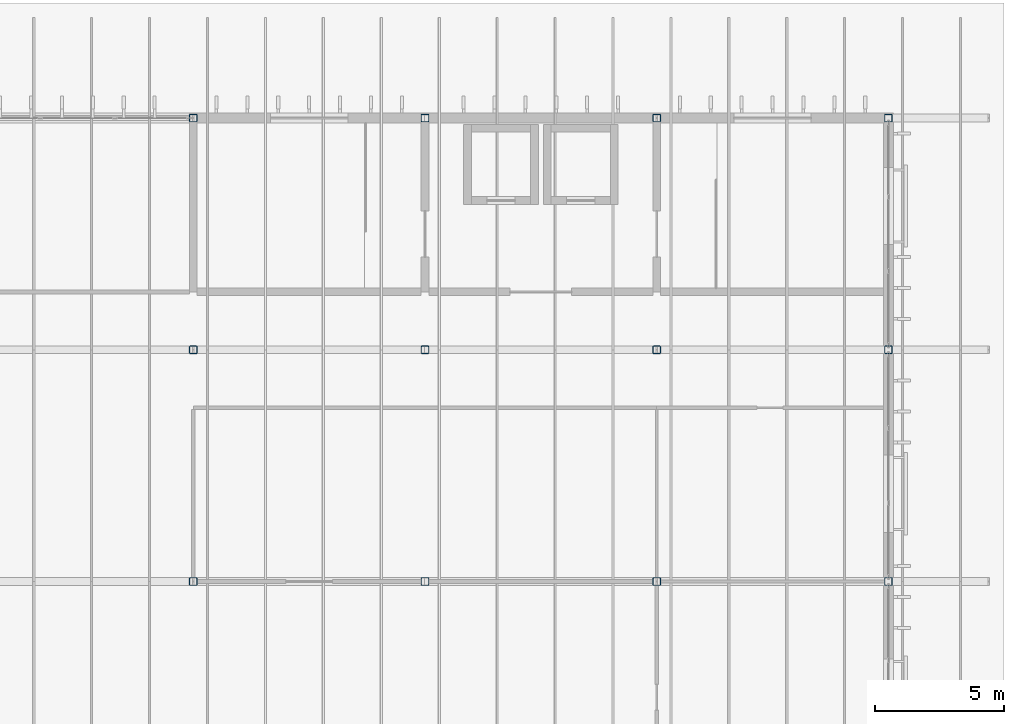
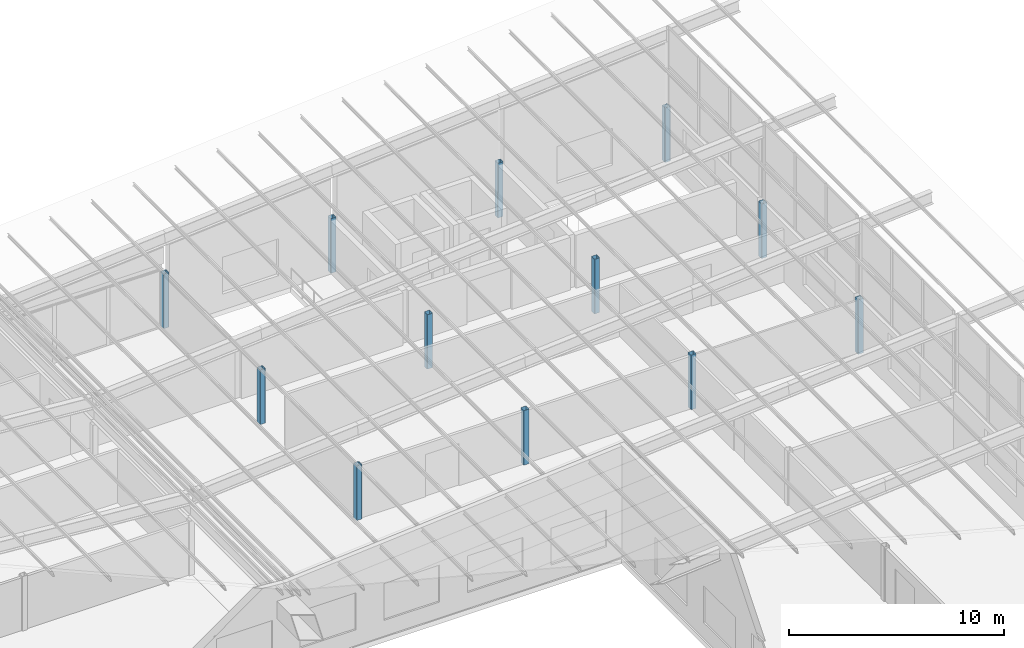
# One storey, part 17 of 85: 12 columns.
"""IFC4 building model written with IfcOpenShell, lengths in metres."""

import ifcopenshell
import ifcopenshell.guid

model = None  # the IFC model being written
_history = None  # IfcOwnerHistory: only IFC2X3 demands one
_inside = {}  # id of a spatial element -> (the spatial element, [elements in it])
_under = {}  # id of a project, library or spatial element -> (it, [spatial elements below it])
_declared = {}  # id of a project -> (the project, [libraries it declares])
_typed = {}  # id of a type object -> (the type object, [elements of that type])
_made_of = {}  # id of a material, layer set ... -> (it, [elements and type objects made of it])


def new_model(schema):
    """Start an empty IFC model of exactly this schema.

    Asked for "IFC4X3", IfcOpenShell would pick the latest addendum, in which some entities
    have other attributes; the version numbers below select the first issue.
    IFC2X3 requires an IfcOwnerHistory on every rooted entity: one is made here for all.
    """
    global model, _history
    if schema == "IFC4X3":
        model = ifcopenshell.file(schema_version=(4, 3, 0, 0))
    else:
        model = ifcopenshell.file(schema=schema)
    _inside.clear()
    _under.clear()
    _declared.clear()
    _typed.clear()
    _made_of.clear()
    _history = None
    if model.schema == "IFC2X3":
        org = make("IfcOrganization", Name="unknown")
        user = make(
            "IfcPersonAndOrganization",
            ThePerson=make("IfcPerson", FamilyName="unknown"),
            TheOrganization=org,
        )
        app = make(
            "IfcApplication",
            ApplicationDeveloper=org,
            Version="unknown",
            ApplicationFullName="unknown",
            ApplicationIdentifier="unknown",
        )
        _history = make(
            "IfcOwnerHistory",
            OwningUser=user,
            OwningApplication=app,
            ChangeAction="ADDED",
            CreationDate=0,
        )
    return model


def make(cls, **values):
    """One entity of the class cls with the attributes given. An attribute that is None is left unset."""
    return model.create_entity(
        cls, **{name: value for name, value in values.items() if value is not None}
    )


def rooted(cls, **values):
    """An entity with a GlobalId (a new one), such as an element, a storey or a relation."""
    return make(cls, GlobalId=ifcopenshell.guid.new(), OwnerHistory=_history, **values)


def si_unit(unit_type, name, prefix=None):
    """IfcSIUnit, for example si_unit("LENGTHUNIT", "METRE", prefix="MILLI")."""
    return make("IfcSIUnit", UnitType=unit_type, Prefix=prefix, Name=name)


def assignment(units):
    """IfcUnitAssignment: the units of a project."""
    return None if units is None else make("IfcUnitAssignment", Units=units)


def point(xyz):
    """IfcCartesianPoint."""
    return None if xyz is None else make("IfcCartesianPoint", Coordinates=xyz)


def direction(xyz):
    """IfcDirection."""
    return None if xyz is None else make("IfcDirection", DirectionRatios=xyz)


def frame(location, z_axis=None, x_axis=None):
    """IfcAxis2Placement3D, a coordinate frame: its origin and axes. An axis left out is left unset."""
    return make(
        "IfcAxis2Placement3D",
        Location=point(location),
        Axis=direction(z_axis),
        RefDirection=direction(x_axis),
    )


def frame_2d(location, x_axis=None):
    """IfcAxis2Placement2D, a coordinate frame in the plane: its origin and x axis."""
    return make(
        "IfcAxis2Placement2D", Location=point(location), RefDirection=direction(x_axis)
    )


def origin():
    """The frame at (0, 0, 0) with its axes left unset."""
    return frame((0.0, 0.0, 0.0))


def origin_2d():
    """The frame at (0, 0) in the plane with its x axis left unset."""
    return frame_2d((0.0, 0.0))


def place(relative_to, where):
    """IfcLocalPlacement: puts the frame where relative to a parent placement (None: the world)."""
    return make(
        "IfcLocalPlacement", PlacementRelTo=relative_to, RelativePlacement=where
    )


def context(
    kind, dimensions, precision=None, world=None, true_north=None, identifier=None
):
    """IfcGeometricRepresentationContext, for example the 3D "Model" context."""
    return make(
        "IfcGeometricRepresentationContext",
        ContextIdentifier=identifier,
        ContextType=kind,
        CoordinateSpaceDimension=dimensions,
        Precision=precision,
        WorldCoordinateSystem=world,
        TrueNorth=true_north,
    )


def subcontext(parent, identifier, kind, view, scale=None):
    """IfcGeometricRepresentationSubContext, for example "Body" below "Model"."""
    return make(
        "IfcGeometricRepresentationSubContext",
        ContextIdentifier=identifier,
        ContextType=kind,
        ParentContext=parent,
        TargetScale=scale,
        TargetView=view,
    )


def project(units=None, contexts=None):
    """IfcProject with its units and contexts."""
    return rooted(
        "IfcProject",
        Name="project",
        RepresentationContexts=contexts,
        UnitsInContext=assignment(units),
    )


def spatial(cls, under=None, at=None, **own):
    """A site, building, storey or space (cls), placed at a placement, below another one or the project."""
    s = rooted(cls, ObjectPlacement=at, **own)
    if under is not None:
        _under.setdefault(under.id(), (under, []))[1].append(s)
    return s


def profile(cls, at=None, kind="AREA", **sizes):
    """A parametric profile (cls). Its sizes go by their IFC names, for example OverallWidth=200.0."""
    return make(cls, ProfileType=kind, Position=at, **sizes)


def hollow_rectangle(**sizes):
    """IfcRectangleHollowProfileDef."""
    return profile("IfcRectangleHollowProfileDef", **sizes)


def extrude(swept, where, along, depth):
    """IfcExtrudedAreaSolid: the profile swept, set in the frame where, extruded along a direction by depth."""
    return make(
        "IfcExtrudedAreaSolid",
        SweptArea=swept,
        Position=where,
        ExtrudedDirection=direction(along),
        Depth=depth,
    )


def shape(context_of_items, identifier, shape_type, items):
    """IfcShapeRepresentation: the items that make up one representation, for example the "Body"."""
    return make(
        "IfcShapeRepresentation",
        ContextOfItems=context_of_items,
        RepresentationIdentifier=identifier,
        RepresentationType=shape_type,
        Items=items,
    )


def material(Name=None, Category=None):
    """IfcMaterial."""
    return make("IfcMaterial", Name=Name, Category=Category)


def material_profile(
    of_material, cross_section, Name=None, Category=None, Priority=None
):
    """IfcMaterialProfile: a cross section and its material."""
    return make(
        "IfcMaterialProfile",
        Name=Name,
        Material=of_material,
        Profile=cross_section,
        Priority=Priority,
        Category=Category,
    )


def profile_set(profiles, Name=None, composite=None):
    """IfcMaterialProfileSet."""
    return make(
        "IfcMaterialProfileSet",
        Name=Name,
        MaterialProfiles=profiles,
        CompositeProfile=composite,
    )


def made_of(thing, what):
    """Note that an element or type object is made of a material, layer set ...; save() writes the relation."""
    if what is not None:
        _made_of.setdefault(what.id(), (what, []))[1].append(thing)
    return thing


def type_object(cls, material=None, **own):
    """A type object (cls), such as IfcWallType, which elements share."""
    return made_of(rooted(cls, **own), material)


def element(
    cls,
    number,
    at=None,
    inside=None,
    cuts=None,
    type_object=None,
    material=None,
    context=None,
    identifier="Body",
    shape_type=None,
    held_by="IfcProductDefinitionShape",
    body=None,
    shapes=None,
    **own,
):
    """One element of the class cls, such as IfcWall. Its Tag is "e" and its number.

    at: its placement. inside: the storey or other place that contains it. cuts: it is an
    opening in that element (IfcRelVoidsElement). A single representation is given by context,
    identifier, shape_type and body (its items); several are given by shapes. held_by: the class
    of the entity that holds the representations. save() writes the other relations.
    """
    e = rooted(cls, Tag="e%d" % number, ObjectPlacement=at, **own)
    if body is not None:
        shapes = [shape(context, identifier, shape_type, body)]
    if shapes is not None:
        e.Representation = make(held_by, Representations=shapes)
    if inside is not None:
        _inside.setdefault(inside.id(), (inside, []))[1].append(e)
    if cuts is not None:
        rooted(
            "IfcRelVoidsElement", RelatingBuildingElement=cuts, RelatedOpeningElement=e
        )
    if type_object is not None:
        _typed.setdefault(type_object.id(), (type_object, []))[1].append(e)
    return made_of(e, material)


def aggregate(whole, parts):
    """IfcRelAggregates: a whole, such as a stair, and the parts it consists of."""
    return rooted("IfcRelAggregates", RelatingObject=whole, RelatedObjects=parts)


def save(model, path):
    """Write the relations noted so far, then the file.

    IfcRelAggregates (storeys below a building ...), IfcRelContainedInSpatialStructure (elements
    in a storey), IfcRelDefinesByType, IfcRelAssociatesMaterial and IfcRelDeclares: one each for
    every whole, place, type object, material and project.
    """
    for whole, parts in _under.values():
        aggregate(whole, parts)
    for where, things in _inside.values():
        rooted(
            "IfcRelContainedInSpatialStructure",
            RelatedElements=things,
            RelatingStructure=where,
        )
    for kind, things in _typed.values():
        rooted("IfcRelDefinesByType", RelatedObjects=things, RelatingType=kind)
    for what, things in _made_of.values():
        rooted("IfcRelAssociatesMaterial", RelatedObjects=things, RelatingMaterial=what)
    for by, libraries in _declared.values():
        rooted("IfcRelDeclares", RelatingContext=by, RelatedDefinitions=libraries)
    model.write(path)


model = new_model("IFC4")

# Units and contexts
model_context = context("Model", 3, precision=1e-05, world=origin(), true_north=direction((0.0, 1.0)))
body_context = subcontext(model_context, "Body", "Model", "MODEL_VIEW")
ifc_project = project(units=[si_unit("LENGTHUNIT", "METRE"), si_unit("AREAUNIT", "SQUARE_METRE"), si_unit("VOLUMEUNIT", "CUBIC_METRE"), si_unit("PLANEANGLEUNIT", "RADIAN"), si_unit("MASSUNIT", "GRAM", prefix="KILO")], contexts=[model_context])

# Site, building, storey
site_placement = place(None, origin())
site = spatial("IfcSite", under=ifc_project, at=site_placement, CompositionType="ELEMENT")
building_placement = place(site_placement, origin())
building = spatial("IfcBuilding", under=site, at=building_placement, Name="Opaline Strait Convention Centre", CompositionType="ELEMENT")
storey_placement = place(building_placement, frame((0.0, 0.0, 17.0)))
storey = spatial("IfcBuildingStorey", under=building, at=storey_placement, Name="L03", CompositionType="ELEMENT", Elevation=17.0)

# Columns
ifc_material = material(Name="Steel Q355B", Category="steel")
ifc_material_profile = material_profile(ifc_material, hollow_rectangle(XDim=0.300048828125, YDim=0.300048828125, WallThickness=0.011962890625, InnerFilletRadius=0.02392578125, OuterFilletRadius=0.035888671875, at=origin_2d()), Name="RHS 300x300x12")
ifc_profile_set = profile_set([ifc_material_profile], Name="Steel Q355B")
column_type = type_object("IfcColumnType", Name="Roof post RHS 300x300x12", PredefinedType="COLUMN", material=ifc_profile_set)
for number, where, z_axis, x_axis, name in (
    (1, (333.0, 162.0, 0.0), (0.0, 0.0, 1.0), (1.0, 0.0, 0.0), "MRS1 roof post at 38/U"),
    (2, (333.0, 171.0, 0.0), (0.0, 0.0, 1.0), (1.0, 0.0, 0.0), "MRS1 roof post at 38/V"),
    (3, (333.0, 180.0, 0.0), (0.0, 0.0, 1.0), (1.0, 0.0, 0.0), "MRS1 roof post at 38/W"),
    (4, (342.0, 162.0, 0.0), (0.0, 0.0, 1.0), (1.0, 0.0, 0.0), "MRS1 roof post at 39/U"),
    (5, (342.0, 171.0, 0.0), (0.0, 0.0, 1.0), (1.0, 0.0, 0.0), "MRS1 roof post at 39/V"),
    (6, (342.0, 180.0, 0.0), (0.0, 0.0, 1.0), (1.0, 0.0, 0.0), "MRS1 roof post at 39/W"),
    (7, (351.0, 162.0, 0.0), (0.0, 0.0, 1.0), (1.0, 0.0, 0.0), "MRS1 roof post at 40/U"),
    (8, (351.0, 171.0, 0.0), (0.0, 0.0, 1.0), (1.0, 0.0, 0.0), "MRS1 roof post at 40/V"),
    (9, (351.0, 180.0, 0.0), (0.0, 0.0, 1.0), (1.0, 0.0, 0.0), "MRS1 roof post at 40/W"),
    (10, (360.0, 162.0, 0.0), (0.0, 0.0, 1.0), (1.0, 0.0, 0.0), "MRS1 roof post at 41/U"),
    (11, (360.0, 171.0, 0.0), (0.0, 0.0, 1.0), (1.0, 0.0, 0.0), "MRS1 roof post at 41/V"),
    (12, (360.0, 180.0, 0.0), (0.0, 0.0, 1.0), (1.0, 0.0, 0.0), "MRS1 roof post at 41/W"),
):
    element("IfcColumn", number, at=place(storey_placement, frame(where, z_axis=z_axis, x_axis=x_axis)), inside=storey, type_object=column_type, Name=name, PredefinedType="COLUMN", context=body_context, shape_type="SweptSolid", body=[
        extrude(hollow_rectangle(XDim=0.300048828125, YDim=0.300048828125, WallThickness=0.011962890625, InnerFilletRadius=0.02392578125, OuterFilletRadius=0.035888671875, at=origin_2d()), origin(), (0.0, 0.0, 1.0), 3.10009765625),
    ])

save(model, "model.ifc")
